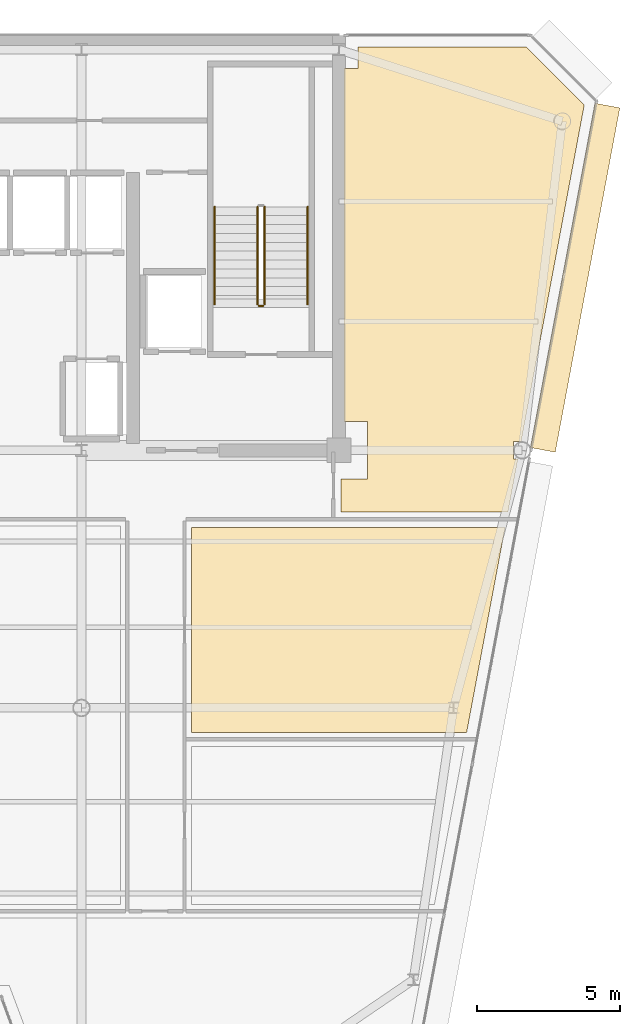
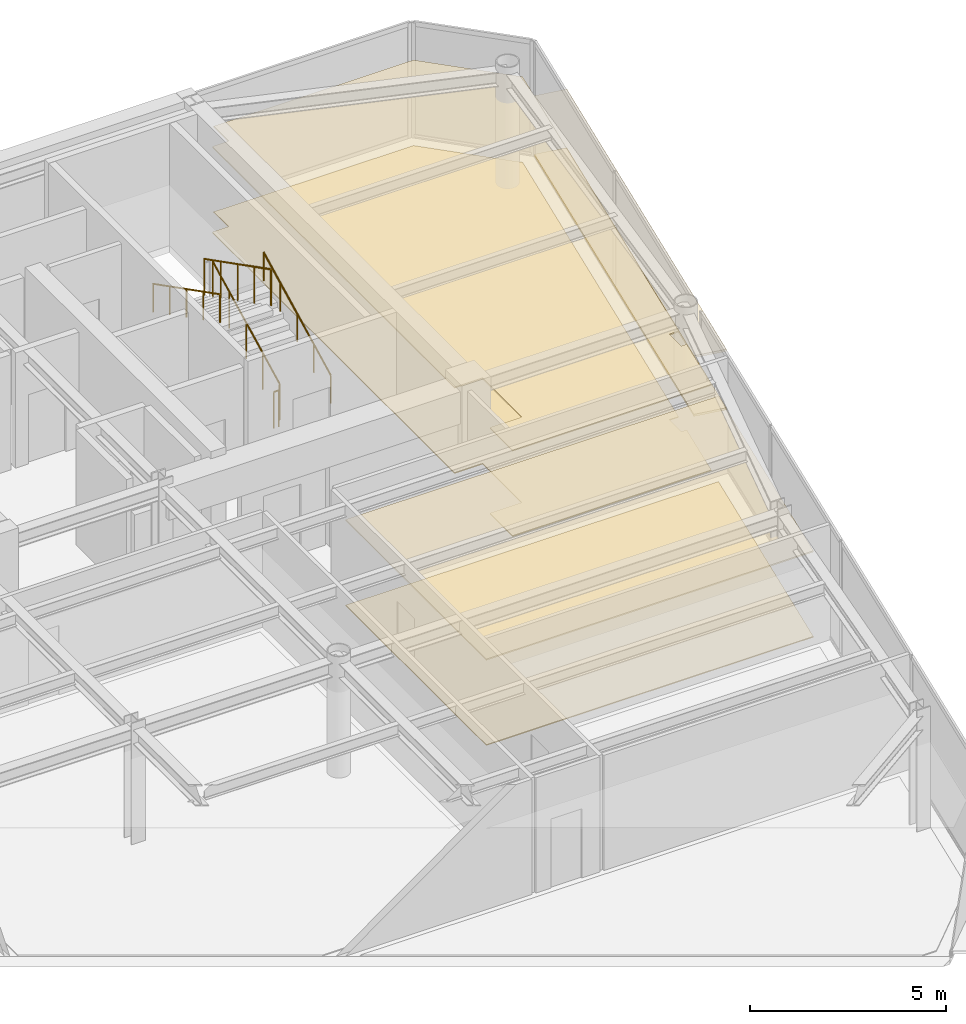
# One storey, part 17 of 20: 6 coverings, 5 railings.
"""IFC4 building model written with IfcOpenShell, lengths in metres."""

import ifcopenshell
import ifcopenshell.guid

model = None  # the IFC model being written
_history = None  # IfcOwnerHistory: only IFC2X3 demands one
_inside = {}  # id of a spatial element -> (the spatial element, [elements in it])
_under = {}  # id of a project, library or spatial element -> (it, [spatial elements below it])
_declared = {}  # id of a project -> (the project, [libraries it declares])
_typed = {}  # id of a type object -> (the type object, [elements of that type])
_made_of = {}  # id of a material, layer set ... -> (it, [elements and type objects made of it])


def new_model(schema):
    """Start an empty IFC model of exactly this schema.

    Asked for "IFC4X3", IfcOpenShell would pick the latest addendum, in which some entities
    have other attributes; the version numbers below select the first issue.
    IFC2X3 requires an IfcOwnerHistory on every rooted entity: one is made here for all.
    """
    global model, _history
    if schema == "IFC4X3":
        model = ifcopenshell.file(schema_version=(4, 3, 0, 0))
    else:
        model = ifcopenshell.file(schema=schema)
    _inside.clear()
    _under.clear()
    _declared.clear()
    _typed.clear()
    _made_of.clear()
    _history = None
    if model.schema == "IFC2X3":
        org = make("IfcOrganization", Name="unknown")
        user = make(
            "IfcPersonAndOrganization",
            ThePerson=make("IfcPerson", FamilyName="unknown"),
            TheOrganization=org,
        )
        app = make(
            "IfcApplication",
            ApplicationDeveloper=org,
            Version="unknown",
            ApplicationFullName="unknown",
            ApplicationIdentifier="unknown",
        )
        _history = make(
            "IfcOwnerHistory",
            OwningUser=user,
            OwningApplication=app,
            ChangeAction="ADDED",
            CreationDate=0,
        )
    return model


def make(cls, **values):
    """One entity of the class cls with the attributes given. An attribute that is None is left unset."""
    return model.create_entity(
        cls, **{name: value for name, value in values.items() if value is not None}
    )


def rooted(cls, **values):
    """An entity with a GlobalId (a new one), such as an element, a storey or a relation."""
    return make(cls, GlobalId=ifcopenshell.guid.new(), OwnerHistory=_history, **values)


def si_unit(unit_type, name, prefix=None):
    """IfcSIUnit, for example si_unit("LENGTHUNIT", "METRE", prefix="MILLI")."""
    return make("IfcSIUnit", UnitType=unit_type, Prefix=prefix, Name=name)


def assignment(units):
    """IfcUnitAssignment: the units of a project."""
    return None if units is None else make("IfcUnitAssignment", Units=units)


def point(xyz):
    """IfcCartesianPoint."""
    return None if xyz is None else make("IfcCartesianPoint", Coordinates=xyz)


def direction(xyz):
    """IfcDirection."""
    return None if xyz is None else make("IfcDirection", DirectionRatios=xyz)


def frame(location, z_axis=None, x_axis=None):
    """IfcAxis2Placement3D, a coordinate frame: its origin and axes. An axis left out is left unset."""
    return make(
        "IfcAxis2Placement3D",
        Location=point(location),
        Axis=direction(z_axis),
        RefDirection=direction(x_axis),
    )


def frame_2d(location, x_axis=None):
    """IfcAxis2Placement2D, a coordinate frame in the plane: its origin and x axis."""
    return make(
        "IfcAxis2Placement2D", Location=point(location), RefDirection=direction(x_axis)
    )


def origin():
    """The frame at (0, 0, 0) with its axes left unset."""
    return frame((0.0, 0.0, 0.0))


def origin_2d():
    """The frame at (0, 0) in the plane with its x axis left unset."""
    return frame_2d((0.0, 0.0))


def place(relative_to, where):
    """IfcLocalPlacement: puts the frame where relative to a parent placement (None: the world)."""
    return make(
        "IfcLocalPlacement", PlacementRelTo=relative_to, RelativePlacement=where
    )


def context(
    kind, dimensions, precision=None, world=None, true_north=None, identifier=None
):
    """IfcGeometricRepresentationContext, for example the 3D "Model" context."""
    return make(
        "IfcGeometricRepresentationContext",
        ContextIdentifier=identifier,
        ContextType=kind,
        CoordinateSpaceDimension=dimensions,
        Precision=precision,
        WorldCoordinateSystem=world,
        TrueNorth=true_north,
    )


def subcontext(parent, identifier, kind, view, scale=None):
    """IfcGeometricRepresentationSubContext, for example "Body" below "Model"."""
    return make(
        "IfcGeometricRepresentationSubContext",
        ContextIdentifier=identifier,
        ContextType=kind,
        ParentContext=parent,
        TargetScale=scale,
        TargetView=view,
    )


def project(units=None, contexts=None):
    """IfcProject with its units and contexts."""
    return rooted(
        "IfcProject",
        Name="project",
        RepresentationContexts=contexts,
        UnitsInContext=assignment(units),
    )


def spatial(cls, under=None, at=None, **own):
    """A site, building, storey or space (cls), placed at a placement, below another one or the project."""
    s = rooted(cls, ObjectPlacement=at, **own)
    if under is not None:
        _under.setdefault(under.id(), (under, []))[1].append(s)
    return s


def polyline(points):
    """IfcPolyline through the points."""
    return make("IfcPolyline", Points=[point(p) for p in points])


def profile(cls, at=None, kind="AREA", **sizes):
    """A parametric profile (cls). Its sizes go by their IFC names, for example OverallWidth=200.0."""
    return make(cls, ProfileType=kind, Position=at, **sizes)


def rectangle(**sizes):
    """IfcRectangleProfileDef."""
    return profile("IfcRectangleProfileDef", **sizes)


def circle(**sizes):
    """IfcCircleProfileDef."""
    return profile("IfcCircleProfileDef", **sizes)


def outline(outer, holes=None, kind="AREA"):
    """IfcArbitraryClosedProfileDef: a profile drawn as a closed curve; with holes, ...WithVoids."""
    if holes is None:
        return make("IfcArbitraryClosedProfileDef", ProfileType=kind, OuterCurve=outer)
    return make(
        "IfcArbitraryProfileDefWithVoids",
        ProfileType=kind,
        OuterCurve=outer,
        InnerCurves=holes,
    )


def extrude(swept, where, along, depth):
    """IfcExtrudedAreaSolid: the profile swept, set in the frame where, extruded along a direction by depth."""
    return make(
        "IfcExtrudedAreaSolid",
        SweptArea=swept,
        Position=where,
        ExtrudedDirection=direction(along),
        Depth=depth,
    )


def shape(context_of_items, identifier, shape_type, items):
    """IfcShapeRepresentation: the items that make up one representation, for example the "Body"."""
    return make(
        "IfcShapeRepresentation",
        ContextOfItems=context_of_items,
        RepresentationIdentifier=identifier,
        RepresentationType=shape_type,
        Items=items,
    )


def source(mapping_origin, context_of_items, identifier, shape_type, items):
    """IfcRepresentationMap: a shape defined once, which mapped items show again and again."""
    return make(
        "IfcRepresentationMap",
        MappingOrigin=mapping_origin,
        MappedRepresentation=shape(context_of_items, identifier, shape_type, items),
    )


def transform(
    local_origin,
    x_axis=None,
    y_axis=None,
    z_axis=None,
    scale=None,
    scale2=None,
    scale3=None,
    uniform=True,
):
    """IfcCartesianTransformationOperator3D, or its non-uniform kind. x_axis, y_axis, z_axis: its Axis1, 2, 3."""
    if uniform:
        return make(
            "IfcCartesianTransformationOperator3D",
            Axis1=direction(x_axis),
            Axis2=direction(y_axis),
            LocalOrigin=point(local_origin),
            Scale=scale,
            Axis3=direction(z_axis),
        )
    return make(
        "IfcCartesianTransformationOperator3DnonUniform",
        Axis1=direction(x_axis),
        Axis2=direction(y_axis),
        LocalOrigin=point(local_origin),
        Scale=scale,
        Axis3=direction(z_axis),
        Scale2=scale2,
        Scale3=scale3,
    )


def mapped(mapping_source, mapping_target):
    """IfcMappedItem: shows the shape of a source again, moved by a transform."""
    return make(
        "IfcMappedItem", MappingSource=mapping_source, MappingTarget=mapping_target
    )


def material(Name=None, Category=None):
    """IfcMaterial."""
    return make("IfcMaterial", Name=Name, Category=Category)


def layer(
    of_material, thickness, ventilated=None, Name=None, Category=None, Priority=None
):
    """IfcMaterialLayer: one layer of a wall or slab, of a material (None: an air gap)."""
    return make(
        "IfcMaterialLayer",
        Material=of_material,
        LayerThickness=thickness,
        IsVentilated=ventilated,
        Name=Name,
        Category=Category,
        Priority=Priority,
    )


def layer_set(layers, Name=None):
    """IfcMaterialLayerSet."""
    return make("IfcMaterialLayerSet", MaterialLayers=layers, LayerSetName=Name)


def made_of(thing, what):
    """Note that an element or type object is made of a material, layer set ...; save() writes the relation."""
    if what is not None:
        _made_of.setdefault(what.id(), (what, []))[1].append(thing)
    return thing


def type_object(cls, material=None, **own):
    """A type object (cls), such as IfcWallType, which elements share."""
    return made_of(rooted(cls, **own), material)


def element(
    cls,
    number,
    at=None,
    inside=None,
    cuts=None,
    type_object=None,
    material=None,
    context=None,
    identifier="Body",
    shape_type=None,
    held_by="IfcProductDefinitionShape",
    body=None,
    shapes=None,
    **own,
):
    """One element of the class cls, such as IfcWall. Its Tag is "e" and its number.

    at: its placement. inside: the storey or other place that contains it. cuts: it is an
    opening in that element (IfcRelVoidsElement). A single representation is given by context,
    identifier, shape_type and body (its items); several are given by shapes. held_by: the class
    of the entity that holds the representations. save() writes the other relations.
    """
    e = rooted(cls, Tag="e%d" % number, ObjectPlacement=at, **own)
    if body is not None:
        shapes = [shape(context, identifier, shape_type, body)]
    if shapes is not None:
        e.Representation = make(held_by, Representations=shapes)
    if inside is not None:
        _inside.setdefault(inside.id(), (inside, []))[1].append(e)
    if cuts is not None:
        rooted(
            "IfcRelVoidsElement", RelatingBuildingElement=cuts, RelatedOpeningElement=e
        )
    if type_object is not None:
        _typed.setdefault(type_object.id(), (type_object, []))[1].append(e)
    return made_of(e, material)


def aggregate(whole, parts):
    """IfcRelAggregates: a whole, such as a stair, and the parts it consists of."""
    return rooted("IfcRelAggregates", RelatingObject=whole, RelatedObjects=parts)


def save(model, path):
    """Write the relations noted so far, then the file.

    IfcRelAggregates (storeys below a building ...), IfcRelContainedInSpatialStructure (elements
    in a storey), IfcRelDefinesByType, IfcRelAssociatesMaterial and IfcRelDeclares: one each for
    every whole, place, type object, material and project.
    """
    for whole, parts in _under.values():
        aggregate(whole, parts)
    for where, things in _inside.values():
        rooted(
            "IfcRelContainedInSpatialStructure",
            RelatedElements=things,
            RelatingStructure=where,
        )
    for kind, things in _typed.values():
        rooted("IfcRelDefinesByType", RelatedObjects=things, RelatingType=kind)
    for what, things in _made_of.values():
        rooted("IfcRelAssociatesMaterial", RelatedObjects=things, RelatingMaterial=what)
    for by, libraries in _declared.values():
        rooted("IfcRelDeclares", RelatingContext=by, RelatedDefinitions=libraries)
    model.write(path)


model = new_model("IFC4")

# Units and contexts
model_context = context("Model", 3, precision=1e-05, world=origin(), true_north=direction((0.0, 1.0)))
body_context = subcontext(model_context, "Body", "Model", "MODEL_VIEW")
ifc_project = project(units=[si_unit("LENGTHUNIT", "METRE"), si_unit("AREAUNIT", "SQUARE_METRE"), si_unit("VOLUMEUNIT", "CUBIC_METRE"), si_unit("PLANEANGLEUNIT", "RADIAN"), si_unit("MASSUNIT", "GRAM", prefix="KILO")], contexts=[model_context])

# Site, building, storey
site_placement = place(None, origin())
site = spatial("IfcSite", under=ifc_project, at=site_placement, CompositionType="ELEMENT")
building_placement = place(site_placement, origin())
building = spatial("IfcBuilding", under=site, at=building_placement, Name="Vaeldorn Concourse Tower", CompositionType="ELEMENT")
storey_placement = place(building_placement, frame((0.0, 0.0, 284.0)))
storey = spatial("IfcBuildingStorey", under=building, at=storey_placement, Name="L73", CompositionType="ELEMENT", Elevation=284.0)

# Coverings
ifc_material_1 = material(Name="Acoustic Mineral Fibre Board", Category="gypsum")
ifc_layer_1 = layer(ifc_material_1, 0.0400390625)
ifc_layer_set_1 = layer_set([ifc_layer_1], Name="Acoustic Mineral Fibre Board")
covering_type_1 = type_object("IfcCoveringType", Name="COV-CEIL-ACOUSTIC", PredefinedType="CEILING", material=ifc_layer_set_1)
covering_1_placement = place(storey_placement, frame((0.0, 0.0, 2.64990234375)))
element("IfcCovering", 1, at=covering_1_placement, inside=storey, type_object=covering_type_1, Name="Suspended Acoustic Ceiling L73-4", PredefinedType="CEILING", context=body_context, shape_type="SweptSolid", body=[
    extrude(outline(polyline([(54.179931640625, 49.840087890625), (54.659912109375, 49.840087890625), (54.659912109375, 50.60009765625), (60.5341796875, 50.60009765625), (62.568115234375, 48.56640625), (60.459716796875, 37.320068359375), (60.459716796875, 37.320068359375), (60.36328125, 36.804931640625), (60.094970703125, 36.804931640625), (60.094970703125, 36.195068359375), (60.248779296875, 36.195068359375), (59.901123046875, 34.340087890625), (54.06005859375, 34.340087890625), (54.06005859375, 35.5), (55.0, 35.5), (55.0, 37.5), (54.179931640625, 37.5), (54.179931640625, 49.840087890625)])), origin(), (0.0, 0.0, 1.0), 0.0400390625),
])
covering_2_placement = place(storey_placement, frame((0.0, 0.0, 2.64990234375)))
element("IfcCovering", 2, at=covering_2_placement, inside=storey, type_object=covering_type_1, Name="Suspended Acoustic Ceiling L73-8", PredefinedType="CEILING", context=body_context, shape_type="SweptSolid", body=[
    extrude(outline(polyline([(48.840087890625, 26.639892578125), (48.840087890625, 33.800048828125), (59.7998046875, 33.800048828125), (58.457763671875, 26.639892578125), (48.840087890625, 26.639892578125)])), origin(), (0.0, 0.0, 1.0), 0.0400390625),
])
ifc_material_2 = material(Name="Honed Limestone Terrazzo Flooring", Category="masonry")
ifc_layer_2 = layer(ifc_material_2, 0.0400390625)
ifc_layer_set_2 = layer_set([ifc_layer_2], Name="Honed Limestone Terrazzo Flooring")
covering_type_2 = type_object("IfcCoveringType", Name="COV-FLOOR-STONE", PredefinedType="FLOORING", material=ifc_layer_set_2)
covering_3_placement = place(storey_placement, origin())
element("IfcCovering", 3, at=covering_3_placement, inside=storey, type_object=covering_type_2, Name="Floor Finish Covering L73-4", PredefinedType="FLOORING", context=body_context, shape_type="SweptSolid", body=[
    extrude(outline(polyline([(54.179931640625, 49.840087890625), (54.659912109375, 49.840087890625), (54.659912109375, 50.60009765625), (60.5341796875, 50.60009765625), (62.568115234375, 48.56640625), (60.459716796875, 37.320068359375), (60.459716796875, 37.320068359375), (60.36328125, 36.804931640625), (60.094970703125, 36.804931640625), (60.094970703125, 36.195068359375), (60.248779296875, 36.195068359375), (59.901123046875, 34.340087890625), (54.06005859375, 34.340087890625), (54.06005859375, 35.5), (55.0, 35.5), (55.0, 37.5), (54.179931640625, 37.5), (54.179931640625, 49.840087890625)])), origin(), (0.0, 0.0, 1.0), 0.030029296875),
])
covering_4_placement = place(storey_placement, origin())
element("IfcCovering", 4, at=covering_4_placement, inside=storey, type_object=covering_type_2, Name="Floor Finish Covering L73-8", PredefinedType="FLOORING", context=body_context, shape_type="SweptSolid", body=[
    extrude(outline(polyline([(48.840087890625, 26.639892578125), (48.840087890625, 33.800048828125), (59.7998046875, 33.800048828125), (58.457763671875, 26.639892578125), (48.840087890625, 26.639892578125)])), origin(), (0.0, 0.0, 1.0), 0.030029296875),
])

# Railings
ifc_material_3 = material(Name="Anodised Bronze Aluminium", Category="aluminium")
railing_type_1 = type_object("IfcRailingType", Name="RL-STAIR-GUARD", PredefinedType="GUARDRAIL", material=ifc_material_3)
railing_1_placement = place(storey_placement, frame((51.39990234375, 41.60009765625, 0.158447265625)))
element("IfcRailing", 5, at=railing_1_placement, inside=storey, type_object=railing_type_1, Name="L73 ST-2 stair guard 1", PredefinedType="GUARDRAIL", context=body_context, shape_type="SweptSolid", body=[
    extrude(circle(Radius=0.02392578125, at=origin_2d()), frame((0.0, 0.0, 1.1259765625), z_axis=(0.0, 0.890581635807, 0.454823427236), x_axis=(-1.0, 0.0, 0.0)), (0.0, 0.0, 1.0), 3.828857421875),
    extrude(circle(Radius=0.02099609375, at=origin_2d()), origin(), (0.0, 0.0, 1.0), 1.101806640625),
    extrude(circle(Radius=0.02099609375, at=origin_2d()), frame((0.0, 0.8525390625, 0.435302734375)), (0.0, 0.0, 1.0), 1.101806640625),
    extrude(circle(Radius=0.02099609375, at=origin_2d()), frame((0.0, 1.705078125, 0.87060546875)), (0.0, 0.0, 1.0), 1.101806640625),
    extrude(circle(Radius=0.02099609375, at=origin_2d()), frame((0.0, 2.557373046875, 1.30615234375)), (0.0, 0.0, 1.0), 1.101806640625),
    extrude(circle(Radius=0.02099609375, at=origin_2d()), frame((0.0, 3.409912109375, 1.741455078125)), (0.0, 0.0, 1.0), 1.101806640625),
])
railing_2_placement = place(storey_placement, frame((51.14990234375, 45.010009765625, 2.058349609375)))
element("IfcRailing", 6, at=railing_2_placement, inside=storey, type_object=railing_type_1, Name="L73 ST-2 stair guard 3", PredefinedType="GUARDRAIL", context=body_context, shape_type="SweptSolid", body=[
    extrude(circle(Radius=0.02392578125, at=origin_2d()), frame((0.0, 0.0, 1.1259765625), z_axis=(0.0, -0.890555807335, 0.454873997962), x_axis=(1.0, 0.0, 0.0)), (0.0, 0.0, 1.0), 3.828857421875),
    extrude(circle(Radius=0.02099609375, at=origin_2d()), origin(), (0.0, 0.0, 1.0), 1.101806640625),
    extrude(circle(Radius=0.02099609375, at=origin_2d()), frame((0.0, -0.8525390625, 0.435546875)), (0.0, 0.0, 1.0), 1.101806640625),
    extrude(circle(Radius=0.02099609375, at=origin_2d()), frame((0.0, -1.705078125, 0.870849609375)), (0.0, 0.0, 1.0), 1.101806640625),
    extrude(circle(Radius=0.02099609375, at=origin_2d()), frame((0.0, -2.557373046875, 1.30615234375)), (0.0, 0.0, 1.0), 1.101806640625),
    extrude(circle(Radius=0.02099609375, at=origin_2d()), frame((0.0, -3.409912109375, 1.74169921875)), (0.0, 0.0, 1.0), 1.101806640625),
])
railing_3_placement = place(storey_placement, frame((51.35009765625, 41.550048828125, 0.0)))
element("IfcRailing", 7, at=railing_3_placement, inside=storey, type_object=railing_type_1, Name="L73 ST-2 stair guard 4", PredefinedType="GUARDRAIL", context=body_context, shape_type="SweptSolid", body=[
    extrude(circle(Radius=0.02392578125, at=origin_2d()), frame((0.0, 0.0, 1.1259765625), z_axis=(-1.0, 0.0, 0.0), x_axis=(0.0, -1.0, 0.0)), (0.0, 0.0, 1.0), 0.150146484375),
    extrude(circle(Radius=0.02099609375, at=origin_2d()), origin(), (0.0, 0.0, 1.0), 1.101806640625),
    extrude(circle(Radius=0.02099609375, at=origin_2d()), frame((-0.150146484375, 0.0, 0.0)), (0.0, 0.0, 1.0), 1.101806640625),
])
railing_type_2 = type_object("IfcRailingType", Name="RL-STAIR-HANDRAIL", PredefinedType="HANDRAIL", material=ifc_material_3)
railing_4_placement = place(storey_placement, frame((52.89990234375, 41.60009765625, 0.158447265625)))
element("IfcRailing", 8, at=railing_4_placement, inside=storey, type_object=railing_type_2, Name="L73 ST-2 stair handrail 1", PredefinedType="HANDRAIL", context=body_context, shape_type="SweptSolid", body=[
    extrude(circle(Radius=0.02392578125, at=origin_2d()), frame((0.0, 0.0, 0.8759765625), z_axis=(0.0, 0.890581635807, 0.454823427236), x_axis=(-1.0, 0.0, 0.0)), (0.0, 0.0, 1.0), 3.828857421875),
    extrude(circle(Radius=0.02099609375, at=origin_2d()), origin(), (0.0, 0.0, 1.0), 0.851806640625),
    extrude(circle(Radius=0.02099609375, at=origin_2d()), frame((0.0, 0.8525390625, 0.435302734375)), (0.0, 0.0, 1.0), 0.851806640625),
    extrude(circle(Radius=0.02099609375, at=origin_2d()), frame((0.0, 1.705078125, 0.87060546875)), (0.0, 0.0, 1.0), 0.851806640625),
    extrude(circle(Radius=0.02099609375, at=origin_2d()), frame((0.0, 2.557373046875, 1.30615234375)), (0.0, 0.0, 1.0), 0.851806640625),
    extrude(circle(Radius=0.02099609375, at=origin_2d()), frame((0.0, 3.409912109375, 1.741455078125)), (0.0, 0.0, 1.0), 0.851806640625),
])
railing_5_placement = place(storey_placement, frame((49.64990234375, 45.010009765625, 2.058349609375)))
element("IfcRailing", 9, at=railing_5_placement, inside=storey, type_object=railing_type_2, Name="L73 ST-2 stair handrail 2", PredefinedType="HANDRAIL", context=body_context, shape_type="SweptSolid", body=[
    extrude(circle(Radius=0.02392578125, at=origin_2d()), frame((0.0, 0.0, 0.8759765625), z_axis=(0.0, -0.890555807335, 0.454873997962), x_axis=(1.0, 0.0, 0.0)), (0.0, 0.0, 1.0), 3.828857421875),
    extrude(circle(Radius=0.02099609375, at=origin_2d()), origin(), (0.0, 0.0, 1.0), 0.851806640625),
    extrude(circle(Radius=0.02099609375, at=origin_2d()), frame((0.0, -0.8525390625, 0.435546875)), (0.0, 0.0, 1.0), 0.851806640625),
    extrude(circle(Radius=0.02099609375, at=origin_2d()), frame((0.0, -1.705078125, 0.870849609375)), (0.0, 0.0, 1.0), 0.851806640625),
    extrude(circle(Radius=0.02099609375, at=origin_2d()), frame((0.0, -2.557373046875, 1.30615234375)), (0.0, 0.0, 1.0), 0.851806640625),
    extrude(circle(Radius=0.02099609375, at=origin_2d()), frame((0.0, -3.409912109375, 1.74169921875)), (0.0, 0.0, 1.0), 0.851806640625),
])

# Coverings
ifc_layer_3 = layer(ifc_material_3, 0.06494140625)
ifc_layer_set_3 = layer_set([ifc_layer_3], Name="Anodised Bronze Aluminium")
covering_type_3 = type_object("IfcCoveringType", Name="SD-BRONZE-SUNSHADE", PredefinedType="USERDEFINED", material=ifc_layer_set_3)
shared_shape = source(origin(), body_context, "Body", "SweptSolid", [
    extrude(rectangle(XDim=12.241943359375, YDim=0.8798828125, at=origin_2d()), origin(), (0.0, 0.0, 1.0), 0.06494140625),
])
for number, where, z_axis, x_axis, name in (
    (10, (62.250732421875, 42.531494140625, 0.047607421875), (0.0, 0.0, 1.0), (0.1842429853, 0.98288072642, 0.0), "Horizontal Bronze Sunshade L73-E07.2.1"),
    (11, (62.250732421875, 42.531494140625, 1.867431640625), (0.0, 0.0, 1.0), (0.1842429853, 0.98288072642, 0.0), "Horizontal Bronze Sunshade L73-E07.2.2"),
):
    element("IfcCovering", number, at=place(storey_placement, frame(where, z_axis=z_axis, x_axis=x_axis)), inside=storey, type_object=covering_type_3, Name=name, ObjectType="SUNSHADE", PredefinedType="USERDEFINED", context=body_context, shape_type="MappedRepresentation", body=[
        mapped(shared_shape, transform((0.0, 0.0, 0.0), scale=1.0)),
    ])

save(model, "model.ifc")
